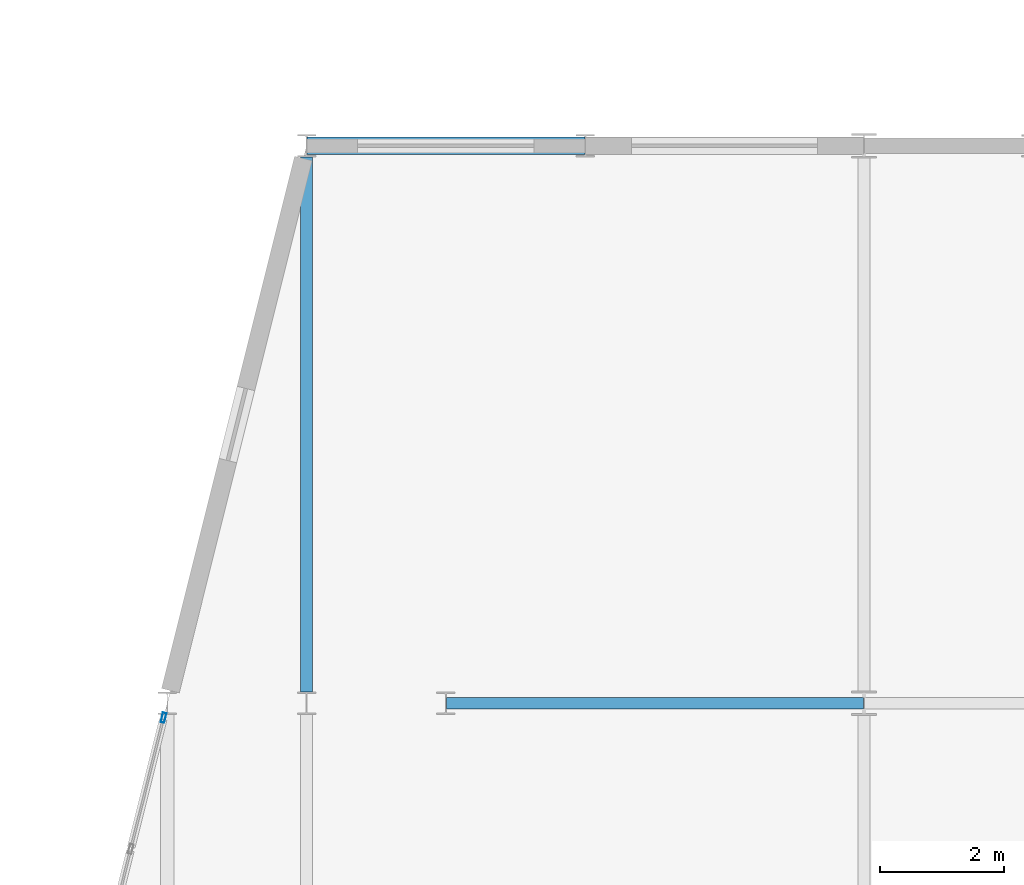
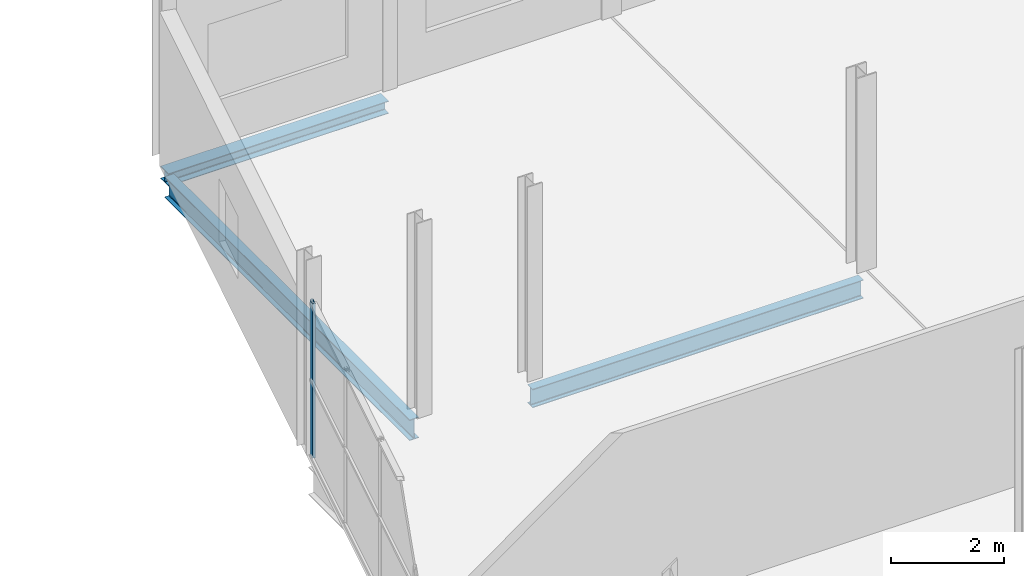
# One storey, part 99 of 140: 3 beams, 1 member, 1 element without a shape of its own.
"""IFC4 building model written with IfcOpenShell, lengths in metres."""

from ifc_helpers import new_model, si_unit, direction, frame, origin, origin_2d, place, context, subcontext, project, spatial, hollow_rectangle, i_section, extrude, material, layer, layer_set, material_profile, profile_set, type_object, element, aggregate, save


model = new_model("IFC4")

# Units and contexts
model_context = context("Model", 3, precision=1e-05, world=origin(), true_north=direction((0.0, 1.0)))
body_context = subcontext(model_context, "Body", "Model", "MODEL_VIEW")
ifc_project = project(units=[si_unit("LENGTHUNIT", "METRE"), si_unit("AREAUNIT", "SQUARE_METRE"), si_unit("VOLUMEUNIT", "CUBIC_METRE"), si_unit("PLANEANGLEUNIT", "RADIAN"), si_unit("MASSUNIT", "GRAM", prefix="KILO")], contexts=[model_context])

# Site, building, storey
site_placement = place(None, origin())
site = spatial("IfcSite", under=ifc_project, at=site_placement, CompositionType="ELEMENT")
building_placement = place(site_placement, origin())
building = spatial("IfcBuilding", under=site, at=building_placement, Name="Deido Ridge Mobility Hub", CompositionType="ELEMENT")
storey_placement = place(building_placement, origin())
storey = spatial("IfcBuildingStorey", under=building, at=storey_placement, Name="L00", CompositionType="ELEMENT", Elevation=0.0)

# Beams
ifc_material_1 = material(Name="Steel S355J2 EN 10025-2", Category="steel")
ifc_material_profile_1 = material_profile(ifc_material_1, i_section(OverallWidth=0.179931640625, OverallDepth=0.39990234375, WebThickness=0.008544921875, FlangeThickness=0.013427734375, FilletRadius=0.02099609375, at=origin_2d()), Name="IPE 400")
ifc_profile_set_1 = profile_set([ifc_material_profile_1], Name="Steel S355J2 EN 10025-2")
beam_type_1 = type_object("IfcBeamType", Name="BM-IPE400", PredefinedType="BEAM", material=ifc_profile_set_1)
beam_1_placement = place(storey_placement, frame((137.256103515625, 63.0, -0.4599609375), z_axis=(1.0, 0.0, 0.0), x_axis=(0.0, 1.0, 0.0)))
element("IfcBeam", 1, at=beam_1_placement, inside=storey, type_object=beam_type_1, Name="Floor beam B5", PredefinedType="BEAM", context=body_context, shape_type="SweptSolid", body=[
    extrude(i_section(OverallWidth=0.179931640625, OverallDepth=0.39990234375, WebThickness=0.008544921875, FlangeThickness=0.013427734375, FilletRadius=0.02099609375, at=origin_2d()), origin(), (0.0, 0.0, 1.0), 6.735107421875),
])
ifc_material_profile_2 = material_profile(ifc_material_1, i_section(OverallWidth=0.18994140625, OverallDepth=0.449951171875, WebThickness=0.009521484375, FlangeThickness=0.0146484375, FilletRadius=0.02099609375, at=origin_2d()), Name="IPE 450")
ifc_profile_set_2 = profile_set([ifc_material_profile_2], Name="Steel S355J2 EN 10025-2")
beam_type_2 = type_object("IfcBeamType", Name="BM-IPE450", PredefinedType="BEAM", material=ifc_profile_set_2)
beam_2_placement = place(storey_placement, frame((135.0, 63.179931640625, -0.485107421875), z_axis=(0.0, 1.0, 0.0), x_axis=(-1.0, 0.0, 0.0)))
element("IfcBeam", 2, at=beam_2_placement, inside=storey, type_object=beam_type_2, Name="Floor beam B4", PredefinedType="BEAM", context=body_context, shape_type="SweptSolid", body=[
    extrude(i_section(OverallWidth=0.18994140625, OverallDepth=0.449951171875, WebThickness=0.009521484375, FlangeThickness=0.0146484375, FilletRadius=0.02099609375, at=origin_2d()), origin(), (0.0, 0.0, 1.0), 8.64013671875),
])

# Curtain wall, member
ifc_material_2 = material(Name="Anodised aluminium EN AW-6063 T6", Category="aluminium")
ifc_layer = layer(ifc_material_2, 0.2099609375, Name="Anodised aluminium EN AW-6063 T6")
ifc_layer_set = layer_set([ifc_layer], Name="Anodised aluminium EN AW-6063 T6")
curtain_wall_type = type_object("IfcCurtainWallType", Name="CW-UF-4", PredefinedType="USERDEFINED", material=ifc_layer_set)
curtain_wall_placement = place(storey_placement, origin())
curtain_wall = element("IfcCurtainWall", 3, at=curtain_wall_placement, inside=storey, type_object=curtain_wall_type, Name="Unitised curtain wall CW4", ObjectType="UNITISED FACADE", PredefinedType="USERDEFINED")
ifc_material_profile_3 = material_profile(ifc_material_2, hollow_rectangle(XDim=0.06005859375, YDim=0.159912109375, WallThickness=0.00390625, at=origin_2d()), Name="RHS 60x160x4")
ifc_profile_set_3 = profile_set([ifc_material_profile_3], Name="Anodised aluminium EN AW-6063 T6")
member_type = type_object("IfcMemberType", Name="MEM-MUL-60X160", PredefinedType="MULLION", material=ifc_profile_set_3)
member_placement = place(storey_placement, frame((132.69140625, 62.76611328125, 0.0), z_axis=(0.0, 0.0, 1.0), x_axis=(-0.970143828731, 0.242530310632, 0.0)))
member = element("IfcMember", 4, at=member_placement, type_object=member_type, Name="CW4 mullion 5", PredefinedType="MULLION", context=body_context, shape_type="SweptSolid", body=[
    extrude(hollow_rectangle(XDim=0.06005859375, YDim=0.159912109375, WallThickness=0.00390625, at=origin_2d()), origin(), (0.0, 0.0, 1.0), 3.324951171875),
])
aggregate(curtain_wall, [member])

# Beam
ifc_material_profile_4 = material_profile(ifc_material_1, i_section(OverallWidth=0.280029296875, OverallDepth=0.27001953125, WebThickness=0.008056640625, FlangeThickness=0.012939453125, FilletRadius=0.02392578125, at=origin_2d()), Name="HEA 280")
ifc_profile_set_4 = profile_set([ifc_material_profile_4], Name="Steel S355J2 EN 10025-2")
beam_type_3 = type_object("IfcBeamType", Name="SPD-HEA280", PredefinedType="SPANDREL", material=ifc_profile_set_4)
beam_3_placement = place(storey_placement, frame((135.006103515625, 72.0, -0.39501953125), z_axis=(1.0, 0.0, 0.0), x_axis=(0.0, 1.0, 0.0)))
element("IfcBeam", 5, at=beam_3_placement, inside=storey, type_object=beam_type_3, Name="Floor beam SP2", PredefinedType="SPANDREL", context=body_context, shape_type="SweptSolid", body=[
    extrude(i_section(OverallWidth=0.280029296875, OverallDepth=0.27001953125, WebThickness=0.008056640625, FlangeThickness=0.012939453125, FilletRadius=0.02392578125, at=origin_2d()), origin(), (0.0, 0.0, 1.0), 4.48779296875),
])

save(model, "model.ifc")
